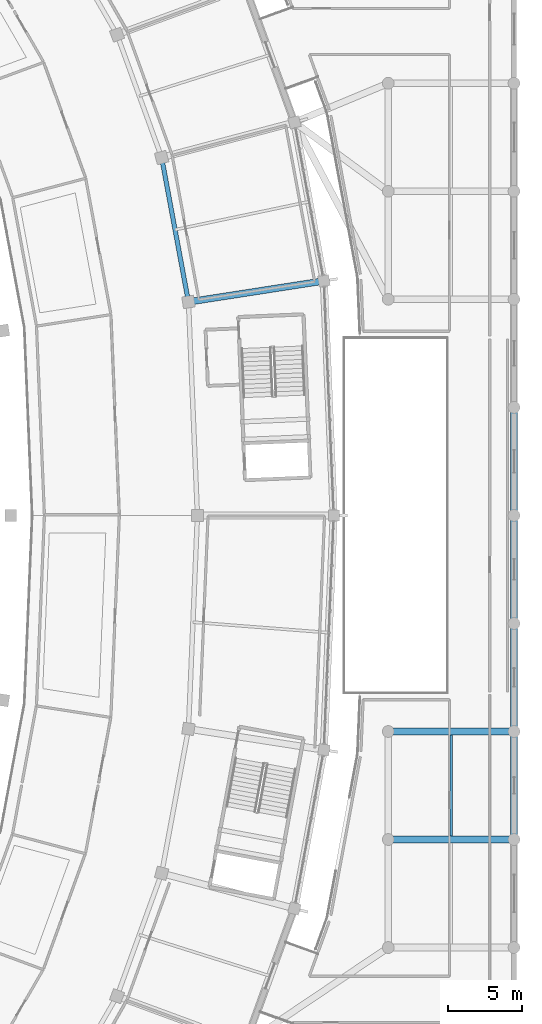
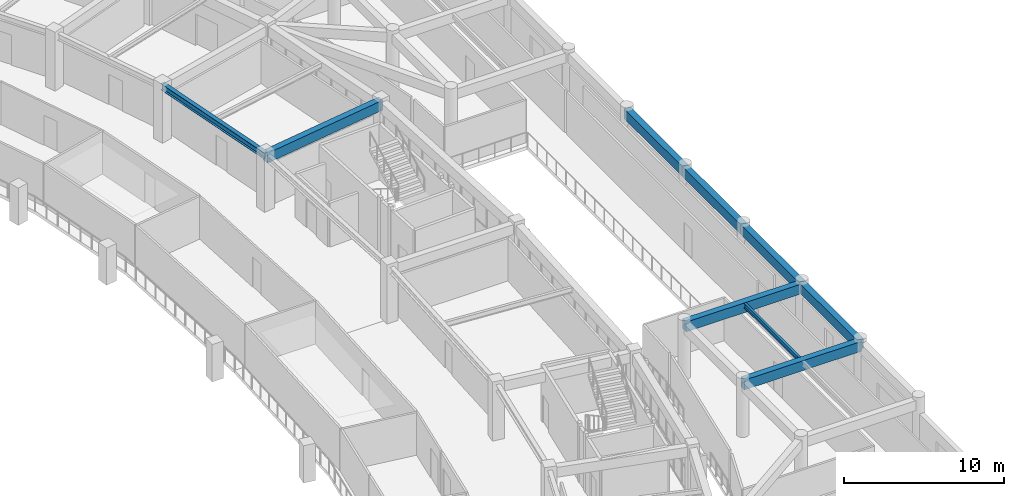
# One storey, part 45 of 141: 9 beams.
"""IFC4 building model written with IfcOpenShell, lengths in metres."""

from ifc_helpers import new_model, si_unit, direction, frame, origin, origin_2d, place, context, subcontext, project, spatial, rectangle, i_section, extrude, material, material_profile, profile_set, type_object, element, save


model = new_model("IFC4")

# Units and contexts
model_context = context("Model", 3, precision=1e-05, world=origin(), true_north=direction((0.0, 1.0)))
body_context = subcontext(model_context, "Body", "Model", "MODEL_VIEW")
ifc_project = project(units=[si_unit("LENGTHUNIT", "METRE"), si_unit("AREAUNIT", "SQUARE_METRE"), si_unit("VOLUMEUNIT", "CUBIC_METRE"), si_unit("PLANEANGLEUNIT", "RADIAN"), si_unit("MASSUNIT", "GRAM", prefix="KILO")], contexts=[model_context])

# Site, building, storey
site_placement = place(None, origin())
site = spatial("IfcSite", under=ifc_project, at=site_placement, CompositionType="ELEMENT")
building_placement = place(site_placement, origin())
building = spatial("IfcBuilding", under=site, at=building_placement, Name="Mphavela Belvedere Stadium", CompositionType="ELEMENT")
storey_placement = place(building_placement, frame((0.0, 0.0, 14.699951171875)))
storey = spatial("IfcBuildingStorey", under=building, at=storey_placement, Name="L03", CompositionType="ELEMENT", Elevation=14.699951171875)

# Beams
ifc_material_1 = material(Name="Steel S355", Category="steel")
ifc_material_profile_1 = material_profile(ifc_material_1, i_section(OverallWidth=0.169921875, OverallDepth=0.360107421875, WebThickness=0.008056640625, FlangeThickness=0.0126953125, at=origin_2d()), Name="IPE 360")
ifc_profile_set_1 = profile_set([ifc_material_profile_1], Name="Steel S355")
beam_type_1 = type_object("IfcBeamType", Name="BM-JOIST-IPE360", PredefinedType="JOIST", material=ifc_profile_set_1)
beam_1_placement = place(storey_placement, frame((225.75, 65.324951171875, 4.06005859375), z_axis=(0.0, 1.0, 0.0), x_axis=(-1.0, 0.0, 0.0)))
element("IfcBeam", 1, at=beam_1_placement, inside=storey, type_object=beam_type_1, Name="East Planted Eaves Peristyle Colonnade secondary joist L03 8-3", PredefinedType="JOIST", context=body_context, shape_type="SweptSolid", body=[
    extrude(i_section(OverallWidth=0.169921875, OverallDepth=0.360107421875, WebThickness=0.008056640625, FlangeThickness=0.0126953125, at=origin_2d()), origin(), (0.0, 0.0, 1.0), 6.85009765625),
])
ifc_material_2 = material(Name="Concrete C40/50", Category="concrete")
ifc_material_profile_2 = material_profile(ifc_material_2, rectangle(XDim=0.449951171875, YDim=0.75, at=origin_2d()), Name="RC 450x750")
ifc_profile_set_2 = profile_set([ifc_material_profile_2], Name="Concrete C40/50")
beam_type_2 = type_object("IfcBeamType", Name="BM-RC450x750", PredefinedType="BEAM", material=ifc_profile_set_2)
beam_2_placement = place(storey_placement, frame((208.0, 101.4248046875, 3.875), z_axis=(0.988182369303, 0.153282761586, 0.0), x_axis=(-0.153282761586, 0.988182369303, 0.0)))
element("IfcBeam", 2, at=beam_2_placement, inside=storey, type_object=beam_type_2, Name="Radial concourse girder L03 R3R4-02", PredefinedType="BEAM", context=body_context, shape_type="SweptSolid", body=[
    extrude(rectangle(XDim=0.449951171875, YDim=0.75, at=origin_2d()), origin(), (0.0, 0.0, 1.0), 9.264892578125),
])
for number, where, z_axis, x_axis, name in (
    (3, (221.5, 65.10009765625, 3.864990234375), (1.0, 0.0, 0.0), (0.0, 1.0, 0.0), "East Planted Eaves Peristyle Colonnade entablature beam X L03 8-3"),
    (4, (221.5, 72.39990234375, 3.864990234375), (1.0, 0.0, 0.0), (0.0, 1.0, 0.0), "East Planted Eaves Peristyle Colonnade entablature beam X L03 8-4"),
):
    element("IfcBeam", number, at=place(storey_placement, frame(where, z_axis=z_axis, x_axis=x_axis)), inside=storey, type_object=beam_type_2, Name=name, PredefinedType="BEAM", context=body_context, shape_type="SweptSolid", body=[
        extrude(rectangle(XDim=0.449951171875, YDim=0.75, at=origin_2d()), origin(), (0.0, 0.0, 1.0), 8.5),
    ])
beam_3_placement = place(storey_placement, frame((230.0, 65.10009765625, 3.864990234375), z_axis=(0.0, 1.0, 0.0), x_axis=(-1.0, 0.0, 0.0)))
element("IfcBeam", 5, at=beam_3_placement, inside=storey, type_object=beam_type_2, Name="East Planted Eaves Peristyle Colonnade entablature beam Y L03 9-3", PredefinedType="BEAM", context=body_context, shape_type="SweptSolid", body=[
    extrude(rectangle(XDim=0.449951171875, YDim=0.75, at=origin_2d()), origin(), (0.0, 0.0, 1.0), 7.2998046875),
])
for number, where, z_axis, x_axis, name in (
    (6, (230.0, 72.39990234375, 3.864990234375), (0.0, 1.0, 0.0), (-1.0, 0.0, 0.0), "East Planted Eaves Peristyle Colonnade entablature beam Y L03 9-4"),
    (7, (230.0, 79.699951171875, 3.864990234375), (0.0, 1.0, 0.0), (-1.0, 0.0, 0.0), "East Planted Eaves Peristyle Colonnade entablature beam Y L03 9-5"),
    (8, (230.0, 87.0, 3.864990234375), (0.0, 1.0, 0.0), (-1.0, 0.0, 0.0), "East Planted Eaves Peristyle Colonnade entablature beam Y L03 9-6"),
):
    element("IfcBeam", number, at=place(storey_placement, frame(where, z_axis=z_axis, x_axis=x_axis)), inside=storey, type_object=beam_type_2, Name=name, PredefinedType="BEAM", context=body_context, shape_type="SweptSolid", body=[
        extrude(rectangle(XDim=0.449951171875, YDim=0.75, at=origin_2d()), origin(), (0.0, 0.0, 1.0), 7.300048828125),
    ])
ifc_material_3 = material(Name="Steel S355", Category="steel")
ifc_material_profile_3 = material_profile(ifc_material_3, i_section(OverallWidth=0.300048828125, OverallDepth=0.489990234375, WebThickness=0.011962890625, FlangeThickness=0.02294921875, at=origin_2d()), Name="HEA 500")
ifc_profile_set_3 = profile_set([ifc_material_profile_3], Name="Steel S355")
beam_type_3 = type_object("IfcBeamType", Name="BM-STEEL-HEA500", PredefinedType="BEAM", material=ifc_profile_set_3)
beam_4_placement = place(storey_placement, frame((208.0, 101.4248046875, 4.005126953125), z_axis=(-0.182638056683, 0.983180217585, 0.0), x_axis=(-0.983180217585, -0.182638056683, 0.0)))
element("IfcBeam", 9, at=beam_4_placement, inside=storey, type_object=beam_type_3, Name="Circumferential girder L03 R3-02", PredefinedType="BEAM", context=body_context, shape_type="SweptSolid", body=[
    extrude(i_section(OverallWidth=0.300048828125, OverallDepth=0.489990234375, WebThickness=0.011962890625, FlangeThickness=0.02294921875, at=origin_2d()), origin(), (0.0, 0.0, 1.0), 9.924072265625),
])

save(model, "model.ifc")
